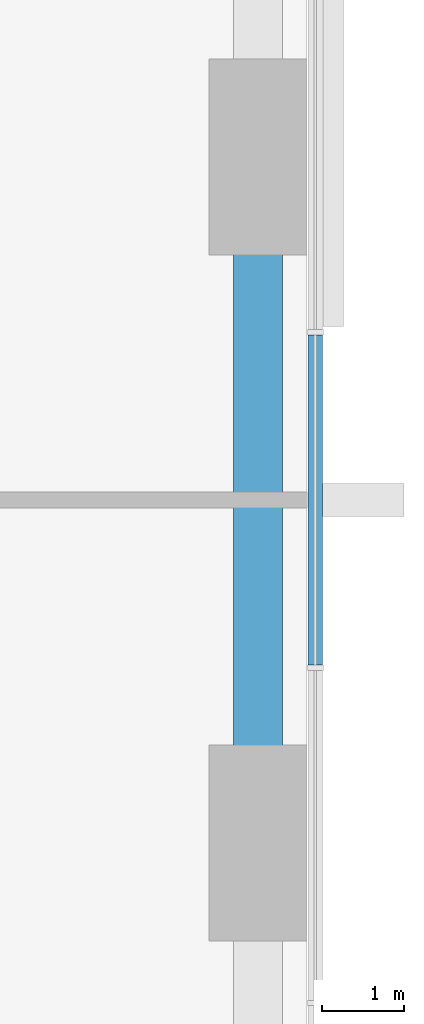
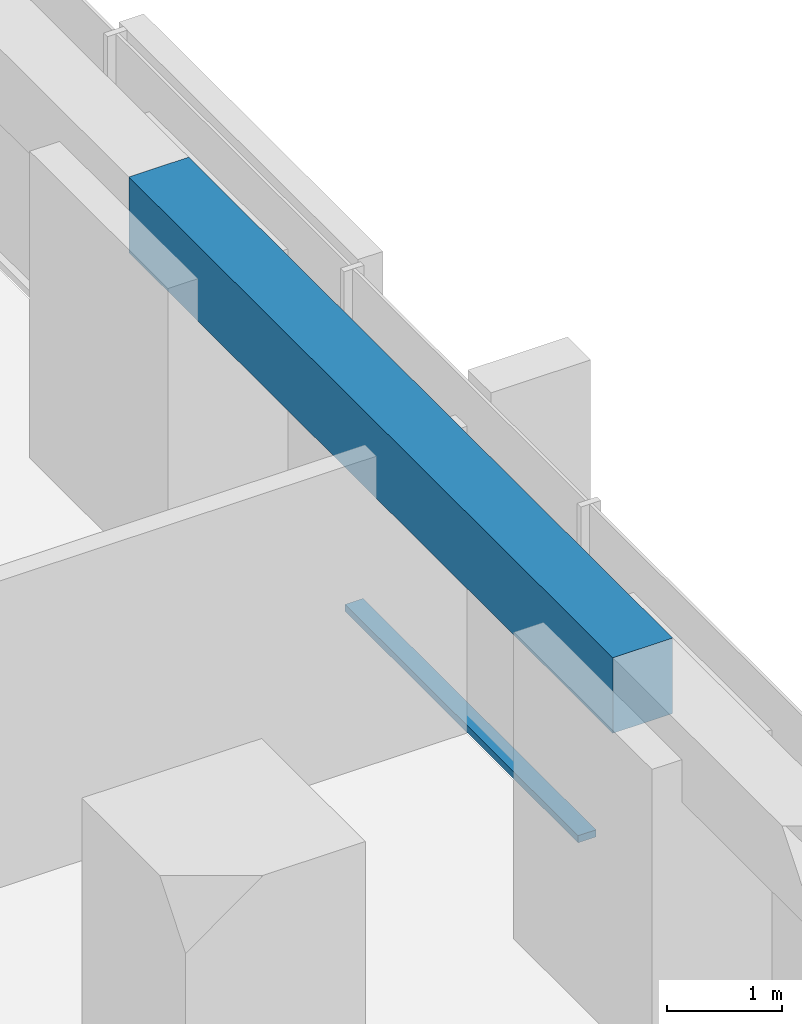
# One storey, part 5 of 17: 1 beam, 1 member, 1 element without a shape of its own.
"""IFC4 building model written with IfcOpenShell, lengths in metres."""

from ifc_helpers import new_model, si_unit, direction, frame, origin, origin_2d, place, context, subcontext, project, spatial, rectangle, extrude, material, material_profile, profile_set, type_object, element, aggregate, save


model = new_model("IFC4")

# Units and contexts
model_context = context("Model", 3, precision=1e-05, world=origin(), true_north=direction((0.0, 1.0)))
body_context = subcontext(model_context, "Body", "Model", "MODEL_VIEW")
ifc_project = project(units=[si_unit("LENGTHUNIT", "METRE"), si_unit("AREAUNIT", "SQUARE_METRE"), si_unit("VOLUMEUNIT", "CUBIC_METRE"), si_unit("PLANEANGLEUNIT", "RADIAN"), si_unit("MASSUNIT", "GRAM", prefix="KILO")], contexts=[model_context])

# Site, building, storey
site_placement = place(None, origin())
site = spatial("IfcSite", under=ifc_project, at=site_placement, CompositionType="ELEMENT")
building_placement = place(site_placement, origin())
building = spatial("IfcBuilding", under=site, at=building_placement, Name="Dunama Terrace Hotel", CompositionType="ELEMENT")
storey_placement = place(building_placement, frame((0.0, 0.0, 45.0)))
storey = spatial("IfcBuildingStorey", under=building, at=storey_placement, Name="L10", CompositionType="ELEMENT", Elevation=45.0)

# Curtain wall, member
ifc_material_1 = material(Name="Aluminium curtain wall system", Category="aluminium")
curtain_wall_type = type_object("IfcCurtainWallType", Name="Unitised fritted glass wall CW-A", PredefinedType="NOTDEFINED", material=ifc_material_1)
curtain_wall_placement = place(storey_placement, origin())
curtain_wall = element("IfcCurtainWall", 1, at=curtain_wall_placement, inside=storey, type_object=curtain_wall_type, Name="Unitised fritted glass wall CW-A L10", PredefinedType="NOTDEFINED")
ifc_material_2 = material(Name="Aluminium transom", Category="aluminium")
ifc_material_profile_1 = material_profile(ifc_material_2, rectangle(XDim=0.179931640625, YDim=0.074951171875, at=origin_2d()), Name="CWA TRANSOM 180X75")
ifc_profile_set_1 = profile_set([ifc_material_profile_1], Name="Aluminium transom")
member_type = type_object("IfcMemberType", Name="CWA transom 180x75", PredefinedType="USERDEFINED", material=ifc_profile_set_1)
member_placement = place(storey_placement, frame((58.89990234375, 27.37890625, 0.03759765625), z_axis=(0.0, 1.0, 0.0), x_axis=(-1.0, 0.0, 0.0)))
member = element("IfcMember", 2, at=member_placement, type_object=member_type, Name="CWA transom", ObjectType="TRANSOM", PredefinedType="USERDEFINED", context=body_context, shape_type="SweptSolid", body=[
    extrude(rectangle(XDim=0.179931640625, YDim=0.074951171875, at=origin_2d()), origin(), (0.0, 0.0, 1.0), 4.0419921875),
])
aggregate(curtain_wall, [member])

# Beam
ifc_material_3 = material(Name="Concrete C40/50", Category="concrete")
ifc_material_profile_2 = material_profile(ifc_material_3, rectangle(XDim=0.60009765625, YDim=0.800048828125, at=origin_2d()), Name="RC 600x800")
ifc_profile_set_2 = profile_set([ifc_material_profile_2], Name="Concrete C40/50")
beam_type = type_object("IfcBeamType", Name="Edge beam RC 600x800", PredefinedType="SPANDREL", material=ifc_profile_set_2)
beam_placement = place(storey_placement, frame((58.199951171875, 25.199951171875, 3.199951171875), z_axis=(0.0, 1.0, 0.0), x_axis=(-1.0, 0.0, 0.0)))
element("IfcBeam", 3, at=beam_placement, inside=storey, type_object=beam_type, Name="Edge beam under L11", PredefinedType="SPANDREL", context=body_context, shape_type="SweptSolid", body=[
    extrude(rectangle(XDim=0.60009765625, YDim=0.800048828125, at=origin_2d()), origin(), (0.0, 0.0, 1.0), 8.400146484375),
])

save(model, "model.ifc")
